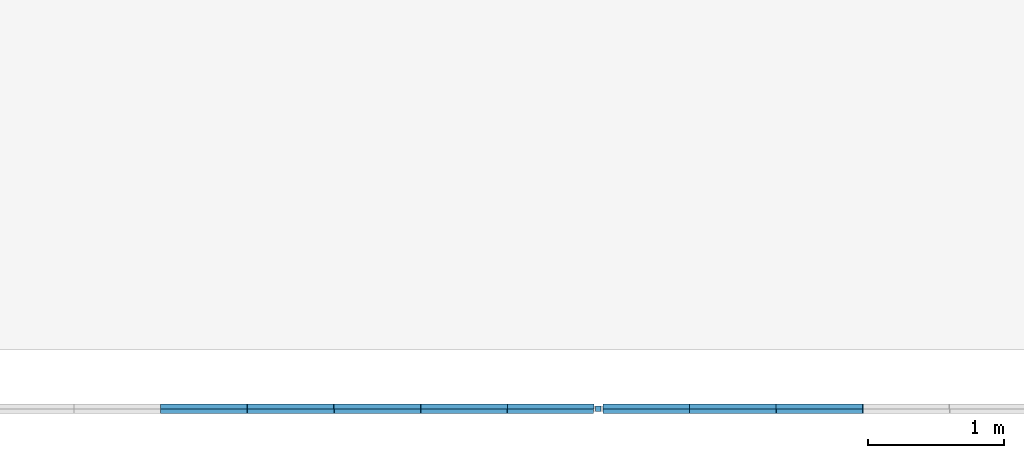
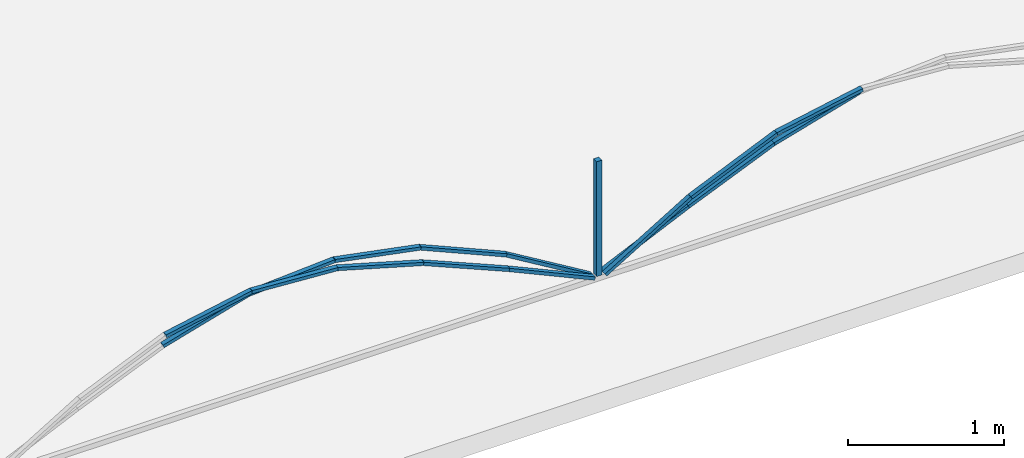
# One storey, part 3 of 9: 17 discrete accessories.
"""IFC4 building model written with IfcOpenShell, lengths in metres."""

from ifc_helpers import new_model, si_unit, direction, frame, origin, origin_2d, place, context, subcontext, project, spatial, rectangle, extrude, material, material_profile, profile_set, type_object, element, save


model = new_model("IFC4")

# Units and contexts
model_context = context("Model", 3, precision=1e-05, world=origin(), true_north=direction((0.0, 1.0)))
body_context = subcontext(model_context, "Body", "Model", "MODEL_VIEW")
ifc_project = project(units=[si_unit("LENGTHUNIT", "METRE"), si_unit("AREAUNIT", "SQUARE_METRE"), si_unit("VOLUMEUNIT", "CUBIC_METRE"), si_unit("PLANEANGLEUNIT", "RADIAN"), si_unit("MASSUNIT", "GRAM", prefix="KILO")], contexts=[model_context])

# Site, building, storey
site_placement = place(None, origin())
site = spatial("IfcSite", under=ifc_project, at=site_placement, CompositionType="ELEMENT")
building_placement = place(site_placement, origin())
building = spatial("IfcBuilding", under=site, at=building_placement, Name="Hortulan Conservatory and Botanical Research Centre", CompositionType="ELEMENT")
storey_placement = place(building_placement, frame((0.0, 0.0, 74.25)))
storey = spatial("IfcBuildingStorey", under=building, at=storey_placement, Name="MAIN ROOF", CompositionType="ELEMENT", Elevation=74.25)

# Discrete accessories
ifc_material = material(Name="Bronze-charcoal painted wrought iron", Category="metal")
ifc_material_profile_1 = material_profile(ifc_material, rectangle(XDim=0.0400390625, YDim=0.0400390625, at=origin_2d()), Name="Square bar 40x40")
ifc_profile_set_1 = profile_set([ifc_material_profile_1], Name="Bronze-charcoal painted wrought iron")
discrete_accessory_type_1 = type_object("IfcDiscreteAccessoryType", Name="Cresting Post 40x40", PredefinedType="USERDEFINED", material=ifc_profile_set_1)
discrete_accessory_1_placement = place(storey_placement, frame((22.510498046875, -0.43603515625, 1.43994140625), z_axis=(0.0, 0.0, 1.0), x_axis=(1.0, 0.0, 0.0)))
element("IfcDiscreteAccessory", 1, at=discrete_accessory_1_placement, inside=storey, type_object=discrete_accessory_type_1, Name="Cresting post", ObjectType="Cresting post", PredefinedType="USERDEFINED", context=body_context, shape_type="SweptSolid", body=[
    extrude(rectangle(XDim=0.0400390625, YDim=0.0400390625, at=origin_2d()), origin(), (0.0, 0.0, 1.0), 0.900146484375),
])
ifc_material_profile_2 = material_profile(ifc_material, rectangle(XDim=0.034912109375, YDim=0.02490234375, at=origin_2d()), Name="Flat bar 35x25")
ifc_profile_set_2 = profile_set([ifc_material_profile_2], Name="Bronze-charcoal painted wrought iron")
discrete_accessory_type_2 = type_object("IfcDiscreteAccessoryType", Name="Whiplash Bar 35x25", PredefinedType="USERDEFINED", material=ifc_profile_set_2)
discrete_accessory_2_placement = place(storey_placement, frame((24.458740234375, -0.41845703125, 2.1826171875), z_axis=(-0.961356655994, 0.0, -0.275305975191), x_axis=(0.0, -1.0, 0.0)))
element("IfcDiscreteAccessory", 2, at=discrete_accessory_2_placement, inside=storey, type_object=discrete_accessory_type_2, Name="Whiplash bar", ObjectType="Whiplash cresting bar", PredefinedType="USERDEFINED", context=body_context, shape_type="SweptSolid", body=[
    extrude(rectangle(XDim=0.034912109375, YDim=0.02490234375, at=origin_2d()), origin(), (0.0, 0.0, 1.0), 0.66162109375),
])
discrete_accessory_3_placement = place(storey_placement, frame((23.82275390625, -0.41845703125, 2.00048828125), z_axis=(-0.920400830323, 0.0, -0.390976100985), x_axis=(0.0, -1.0, 0.0)))
element("IfcDiscreteAccessory", 3, at=discrete_accessory_3_placement, inside=storey, type_object=discrete_accessory_type_2, Name="Whiplash bar", ObjectType="Whiplash cresting bar", PredefinedType="USERDEFINED", context=body_context, shape_type="SweptSolid", body=[
    extrude(rectangle(XDim=0.034912109375, YDim=0.02490234375, at=origin_2d()), origin(), (0.0, 0.0, 1.0), 0.691162109375),
])
discrete_accessory_4_placement = place(storey_placement, frame((23.1865234375, -0.41845703125, 1.730224609375), z_axis=(-0.909719549908, 0.0, -0.415223241781), x_axis=(0.0, -1.0, 0.0)))
element("IfcDiscreteAccessory", 4, at=discrete_accessory_4_placement, inside=storey, type_object=discrete_accessory_type_2, Name="Whiplash bar", ObjectType="Whiplash cresting bar", PredefinedType="USERDEFINED", context=body_context, shape_type="SweptSolid", body=[
    extrude(rectangle(XDim=0.034912109375, YDim=0.02490234375, at=origin_2d()), origin(), (0.0, 0.0, 1.0), 0.69921875),
])
discrete_accessory_5_placement = place(storey_placement, frame((24.458740234375, -0.45361328125, 2.22412109375), z_axis=(-0.981582036387, 0.0, -0.191041110345), x_axis=(0.0, -1.0, 0.0)))
element("IfcDiscreteAccessory", 5, at=discrete_accessory_5_placement, inside=storey, type_object=discrete_accessory_type_2, Name="Whiplash bar", ObjectType="Whiplash cresting bar", PredefinedType="USERDEFINED", context=body_context, shape_type="SweptSolid", body=[
    extrude(rectangle(XDim=0.034912109375, YDim=0.02490234375, at=origin_2d()), origin(), (0.0, 0.0, 1.0), 0.64794921875),
])
discrete_accessory_6_placement = place(storey_placement, frame((23.82275390625, -0.45361328125, 2.100341796875), z_axis=(-0.916818180811, 0.0, -0.399304925257), x_axis=(0.0, -1.0, 0.0)))
element("IfcDiscreteAccessory", 6, at=discrete_accessory_6_placement, inside=storey, type_object=discrete_accessory_type_2, Name="Whiplash bar", ObjectType="Whiplash cresting bar", PredefinedType="USERDEFINED", context=body_context, shape_type="SweptSolid", body=[
    extrude(rectangle(XDim=0.034912109375, YDim=0.02490234375, at=origin_2d()), origin(), (0.0, 0.0, 1.0), 0.69384765625),
])
for number, where, z_axis, x_axis, name in (
    (7, (23.1865234375, -0.45361328125, 1.8232421875), (-0.856475901136, 0.0, -0.516187011433), (0.0, -1.0, 0.0), "Whiplash bar"),
    (8, (22.470703125, -0.41845703125, 1.43994140625), (-0.856475901136, 0.0, 0.516187011433), (0.0, -1.0, 0.0), "Whiplash bar"),
):
    element("IfcDiscreteAccessory", number, at=place(storey_placement, frame(where, z_axis=z_axis, x_axis=x_axis)), inside=storey, type_object=discrete_accessory_type_2, Name=name, ObjectType="Whiplash cresting bar", PredefinedType="USERDEFINED", context=body_context, shape_type="SweptSolid", body=[
        extrude(rectangle(XDim=0.034912109375, YDim=0.02490234375, at=origin_2d()), origin(), (0.0, 0.0, 1.0), 0.74267578125),
    ])
discrete_accessory_7_placement = place(storey_placement, frame((21.834716796875, -0.41845703125, 1.8232421875), z_axis=(-0.916818180811, 0.0, 0.399304925257), x_axis=(0.0, -1.0, 0.0)))
element("IfcDiscreteAccessory", 9, at=discrete_accessory_7_placement, inside=storey, type_object=discrete_accessory_type_2, Name="Whiplash bar", ObjectType="Whiplash cresting bar", PredefinedType="USERDEFINED", context=body_context, shape_type="SweptSolid", body=[
    extrude(rectangle(XDim=0.034912109375, YDim=0.02490234375, at=origin_2d()), origin(), (0.0, 0.0, 1.0), 0.69384765625),
])
discrete_accessory_8_placement = place(storey_placement, frame((21.198486328125, -0.41845703125, 2.100341796875), z_axis=(-0.981582036387, 0.0, 0.191041110345), x_axis=(0.0, -1.0, 0.0)))
element("IfcDiscreteAccessory", 10, at=discrete_accessory_8_placement, inside=storey, type_object=discrete_accessory_type_2, Name="Whiplash bar", ObjectType="Whiplash cresting bar", PredefinedType="USERDEFINED", context=body_context, shape_type="SweptSolid", body=[
    extrude(rectangle(XDim=0.034912109375, YDim=0.02490234375, at=origin_2d()), origin(), (0.0, 0.0, 1.0), 0.64794921875),
])
discrete_accessory_9_placement = place(storey_placement, frame((20.5625, -0.41845703125, 2.22412109375), z_axis=(-0.997877401135, 0.0, -0.065120598155), x_axis=(0.0, -1.0, 0.0)))
element("IfcDiscreteAccessory", 11, at=discrete_accessory_9_placement, inside=storey, type_object=discrete_accessory_type_2, Name="Whiplash bar", ObjectType="Whiplash cresting bar", PredefinedType="USERDEFINED", context=body_context, shape_type="SweptSolid", body=[
    extrude(rectangle(XDim=0.034912109375, YDim=0.02490234375, at=origin_2d()), origin(), (0.0, 0.0, 1.0), 0.637451171875),
])
discrete_accessory_10_placement = place(storey_placement, frame((19.926513671875, -0.41845703125, 2.1826171875), z_axis=(-0.961356655994, 0.0, -0.275305975191), x_axis=(0.0, -1.0, 0.0)))
element("IfcDiscreteAccessory", 12, at=discrete_accessory_10_placement, inside=storey, type_object=discrete_accessory_type_2, Name="Whiplash bar", ObjectType="Whiplash cresting bar", PredefinedType="USERDEFINED", context=body_context, shape_type="SweptSolid", body=[
    extrude(rectangle(XDim=0.034912109375, YDim=0.02490234375, at=origin_2d()), origin(), (0.0, 0.0, 1.0), 0.66162109375),
])
discrete_accessory_11_placement = place(storey_placement, frame((22.470703125, -0.45361328125, 1.43994140625), z_axis=(-0.909719549908, 0.0, 0.415223241781), x_axis=(0.0, -1.0, 0.0)))
element("IfcDiscreteAccessory", 13, at=discrete_accessory_11_placement, inside=storey, type_object=discrete_accessory_type_2, Name="Whiplash bar", ObjectType="Whiplash cresting bar", PredefinedType="USERDEFINED", context=body_context, shape_type="SweptSolid", body=[
    extrude(rectangle(XDim=0.034912109375, YDim=0.02490234375, at=origin_2d()), origin(), (0.0, 0.0, 1.0), 0.69921875),
])
discrete_accessory_12_placement = place(storey_placement, frame((21.834716796875, -0.45361328125, 1.730224609375), z_axis=(-0.920400830323, 0.0, 0.390976100985), x_axis=(0.0, -1.0, 0.0)))
element("IfcDiscreteAccessory", 14, at=discrete_accessory_12_placement, inside=storey, type_object=discrete_accessory_type_2, Name="Whiplash bar", ObjectType="Whiplash cresting bar", PredefinedType="USERDEFINED", context=body_context, shape_type="SweptSolid", body=[
    extrude(rectangle(XDim=0.034912109375, YDim=0.02490234375, at=origin_2d()), origin(), (0.0, 0.0, 1.0), 0.691162109375),
])
discrete_accessory_13_placement = place(storey_placement, frame((21.198486328125, -0.45361328125, 2.00048828125), z_axis=(-0.961356655994, 0.0, 0.275305975191), x_axis=(0.0, -1.0, 0.0)))
element("IfcDiscreteAccessory", 15, at=discrete_accessory_13_placement, inside=storey, type_object=discrete_accessory_type_2, Name="Whiplash bar", ObjectType="Whiplash cresting bar", PredefinedType="USERDEFINED", context=body_context, shape_type="SweptSolid", body=[
    extrude(rectangle(XDim=0.034912109375, YDim=0.02490234375, at=origin_2d()), origin(), (0.0, 0.0, 1.0), 0.66162109375),
])
discrete_accessory_14_placement = place(storey_placement, frame((20.5625, -0.45361328125, 2.1826171875), z_axis=(-0.997877401135, 0.0, 0.065120598155), x_axis=(0.0, -1.0, 0.0)))
element("IfcDiscreteAccessory", 16, at=discrete_accessory_14_placement, inside=storey, type_object=discrete_accessory_type_2, Name="Whiplash bar", ObjectType="Whiplash cresting bar", PredefinedType="USERDEFINED", context=body_context, shape_type="SweptSolid", body=[
    extrude(rectangle(XDim=0.034912109375, YDim=0.02490234375, at=origin_2d()), origin(), (0.0, 0.0, 1.0), 0.637451171875),
])
discrete_accessory_15_placement = place(storey_placement, frame((19.926513671875, -0.45361328125, 2.22412109375), z_axis=(-0.981582036387, 0.0, -0.191041110345), x_axis=(0.0, -1.0, 0.0)))
element("IfcDiscreteAccessory", 17, at=discrete_accessory_15_placement, inside=storey, type_object=discrete_accessory_type_2, Name="Whiplash bar", ObjectType="Whiplash cresting bar", PredefinedType="USERDEFINED", context=body_context, shape_type="SweptSolid", body=[
    extrude(rectangle(XDim=0.034912109375, YDim=0.02490234375, at=origin_2d()), origin(), (0.0, 0.0, 1.0), 0.64794921875),
])

save(model, "model.ifc")
